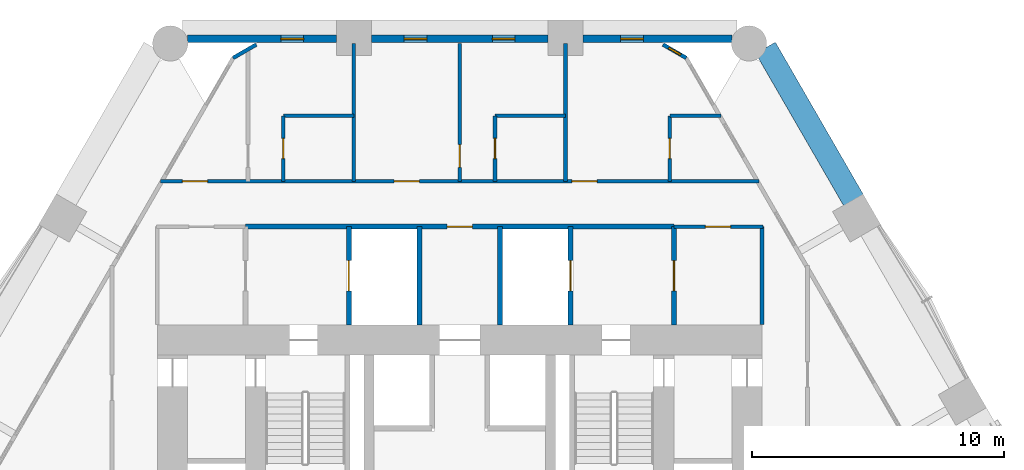
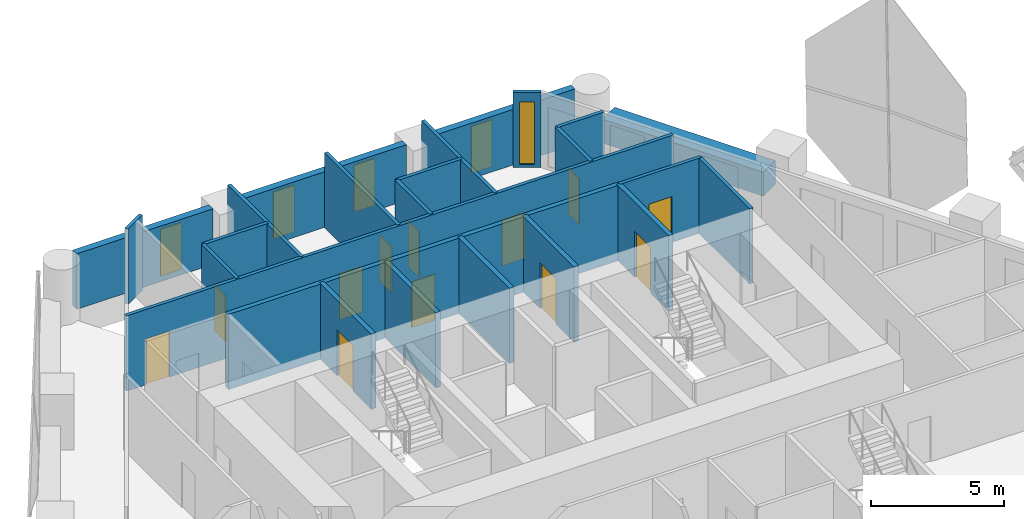
# One storey, part 12 of 16: 24 walls, 12 doors, 5 windows, 17 openings.
"""IFC4 building model written with IfcOpenShell, lengths in metres."""

import ifcopenshell
import ifcopenshell.guid

model = None  # the IFC model being written
_history = None  # IfcOwnerHistory: only IFC2X3 demands one
_inside = {}  # id of a spatial element -> (the spatial element, [elements in it])
_under = {}  # id of a project, library or spatial element -> (it, [spatial elements below it])
_declared = {}  # id of a project -> (the project, [libraries it declares])
_typed = {}  # id of a type object -> (the type object, [elements of that type])
_made_of = {}  # id of a material, layer set ... -> (it, [elements and type objects made of it])


def new_model(schema):
    """Start an empty IFC model of exactly this schema.

    Asked for "IFC4X3", IfcOpenShell would pick the latest addendum, in which some entities
    have other attributes; the version numbers below select the first issue.
    IFC2X3 requires an IfcOwnerHistory on every rooted entity: one is made here for all.
    """
    global model, _history
    if schema == "IFC4X3":
        model = ifcopenshell.file(schema_version=(4, 3, 0, 0))
    else:
        model = ifcopenshell.file(schema=schema)
    _inside.clear()
    _under.clear()
    _declared.clear()
    _typed.clear()
    _made_of.clear()
    _history = None
    if model.schema == "IFC2X3":
        org = make("IfcOrganization", Name="unknown")
        user = make(
            "IfcPersonAndOrganization",
            ThePerson=make("IfcPerson", FamilyName="unknown"),
            TheOrganization=org,
        )
        app = make(
            "IfcApplication",
            ApplicationDeveloper=org,
            Version="unknown",
            ApplicationFullName="unknown",
            ApplicationIdentifier="unknown",
        )
        _history = make(
            "IfcOwnerHistory",
            OwningUser=user,
            OwningApplication=app,
            ChangeAction="ADDED",
            CreationDate=0,
        )
    return model


def make(cls, **values):
    """One entity of the class cls with the attributes given. An attribute that is None is left unset."""
    return model.create_entity(
        cls, **{name: value for name, value in values.items() if value is not None}
    )


def rooted(cls, **values):
    """An entity with a GlobalId (a new one), such as an element, a storey or a relation."""
    return make(cls, GlobalId=ifcopenshell.guid.new(), OwnerHistory=_history, **values)


def si_unit(unit_type, name, prefix=None):
    """IfcSIUnit, for example si_unit("LENGTHUNIT", "METRE", prefix="MILLI")."""
    return make("IfcSIUnit", UnitType=unit_type, Prefix=prefix, Name=name)


def assignment(units):
    """IfcUnitAssignment: the units of a project."""
    return None if units is None else make("IfcUnitAssignment", Units=units)


def point(xyz):
    """IfcCartesianPoint."""
    return None if xyz is None else make("IfcCartesianPoint", Coordinates=xyz)


def direction(xyz):
    """IfcDirection."""
    return None if xyz is None else make("IfcDirection", DirectionRatios=xyz)


def frame(location, z_axis=None, x_axis=None):
    """IfcAxis2Placement3D, a coordinate frame: its origin and axes. An axis left out is left unset."""
    return make(
        "IfcAxis2Placement3D",
        Location=point(location),
        Axis=direction(z_axis),
        RefDirection=direction(x_axis),
    )


def frame_2d(location, x_axis=None):
    """IfcAxis2Placement2D, a coordinate frame in the plane: its origin and x axis."""
    return make(
        "IfcAxis2Placement2D", Location=point(location), RefDirection=direction(x_axis)
    )


def origin():
    """The frame at (0, 0, 0) with its axes left unset."""
    return frame((0.0, 0.0, 0.0))


def place(relative_to, where):
    """IfcLocalPlacement: puts the frame where relative to a parent placement (None: the world)."""
    return make(
        "IfcLocalPlacement", PlacementRelTo=relative_to, RelativePlacement=where
    )


def context(
    kind, dimensions, precision=None, world=None, true_north=None, identifier=None
):
    """IfcGeometricRepresentationContext, for example the 3D "Model" context."""
    return make(
        "IfcGeometricRepresentationContext",
        ContextIdentifier=identifier,
        ContextType=kind,
        CoordinateSpaceDimension=dimensions,
        Precision=precision,
        WorldCoordinateSystem=world,
        TrueNorth=true_north,
    )


def subcontext(parent, identifier, kind, view, scale=None):
    """IfcGeometricRepresentationSubContext, for example "Body" below "Model"."""
    return make(
        "IfcGeometricRepresentationSubContext",
        ContextIdentifier=identifier,
        ContextType=kind,
        ParentContext=parent,
        TargetScale=scale,
        TargetView=view,
    )


def project(units=None, contexts=None):
    """IfcProject with its units and contexts."""
    return rooted(
        "IfcProject",
        Name="project",
        RepresentationContexts=contexts,
        UnitsInContext=assignment(units),
    )


def spatial(cls, under=None, at=None, **own):
    """A site, building, storey or space (cls), placed at a placement, below another one or the project."""
    s = rooted(cls, ObjectPlacement=at, **own)
    if under is not None:
        _under.setdefault(under.id(), (under, []))[1].append(s)
    return s


def profile(cls, at=None, kind="AREA", **sizes):
    """A parametric profile (cls). Its sizes go by their IFC names, for example OverallWidth=200.0."""
    return make(cls, ProfileType=kind, Position=at, **sizes)


def rectangle(**sizes):
    """IfcRectangleProfileDef."""
    return profile("IfcRectangleProfileDef", **sizes)


def extrude(swept, where, along, depth):
    """IfcExtrudedAreaSolid: the profile swept, set in the frame where, extruded along a direction by depth."""
    return make(
        "IfcExtrudedAreaSolid",
        SweptArea=swept,
        Position=where,
        ExtrudedDirection=direction(along),
        Depth=depth,
    )


def shape(context_of_items, identifier, shape_type, items):
    """IfcShapeRepresentation: the items that make up one representation, for example the "Body"."""
    return make(
        "IfcShapeRepresentation",
        ContextOfItems=context_of_items,
        RepresentationIdentifier=identifier,
        RepresentationType=shape_type,
        Items=items,
    )


def material(Name=None, Category=None):
    """IfcMaterial."""
    return make("IfcMaterial", Name=Name, Category=Category)


def layer(
    of_material, thickness, ventilated=None, Name=None, Category=None, Priority=None
):
    """IfcMaterialLayer: one layer of a wall or slab, of a material (None: an air gap)."""
    return make(
        "IfcMaterialLayer",
        Material=of_material,
        LayerThickness=thickness,
        IsVentilated=ventilated,
        Name=Name,
        Category=Category,
        Priority=Priority,
    )


def layer_set(layers, Name=None):
    """IfcMaterialLayerSet."""
    return make("IfcMaterialLayerSet", MaterialLayers=layers, LayerSetName=Name)


def made_of(thing, what):
    """Note that an element or type object is made of a material, layer set ...; save() writes the relation."""
    if what is not None:
        _made_of.setdefault(what.id(), (what, []))[1].append(thing)
    return thing


def type_object(cls, material=None, **own):
    """A type object (cls), such as IfcWallType, which elements share."""
    return made_of(rooted(cls, **own), material)


def element(
    cls,
    number,
    at=None,
    inside=None,
    cuts=None,
    type_object=None,
    material=None,
    context=None,
    identifier="Body",
    shape_type=None,
    held_by="IfcProductDefinitionShape",
    body=None,
    shapes=None,
    **own,
):
    """One element of the class cls, such as IfcWall. Its Tag is "e" and its number.

    at: its placement. inside: the storey or other place that contains it. cuts: it is an
    opening in that element (IfcRelVoidsElement). A single representation is given by context,
    identifier, shape_type and body (its items); several are given by shapes. held_by: the class
    of the entity that holds the representations. save() writes the other relations.
    """
    e = rooted(cls, Tag="e%d" % number, ObjectPlacement=at, **own)
    if body is not None:
        shapes = [shape(context, identifier, shape_type, body)]
    if shapes is not None:
        e.Representation = make(held_by, Representations=shapes)
    if inside is not None:
        _inside.setdefault(inside.id(), (inside, []))[1].append(e)
    if cuts is not None:
        rooted(
            "IfcRelVoidsElement", RelatingBuildingElement=cuts, RelatedOpeningElement=e
        )
    if type_object is not None:
        _typed.setdefault(type_object.id(), (type_object, []))[1].append(e)
    return made_of(e, material)


def fill(opening, filler):
    """IfcRelFillsElement: the door or window that sits in an opening."""
    return rooted(
        "IfcRelFillsElement",
        RelatingOpeningElement=opening,
        RelatedBuildingElement=filler,
    )


def aggregate(whole, parts):
    """IfcRelAggregates: a whole, such as a stair, and the parts it consists of."""
    return rooted("IfcRelAggregates", RelatingObject=whole, RelatedObjects=parts)


def save(model, path):
    """Write the relations noted so far, then the file.

    IfcRelAggregates (storeys below a building ...), IfcRelContainedInSpatialStructure (elements
    in a storey), IfcRelDefinesByType, IfcRelAssociatesMaterial and IfcRelDeclares: one each for
    every whole, place, type object, material and project.
    """
    for whole, parts in _under.values():
        aggregate(whole, parts)
    for where, things in _inside.values():
        rooted(
            "IfcRelContainedInSpatialStructure",
            RelatedElements=things,
            RelatingStructure=where,
        )
    for kind, things in _typed.values():
        rooted("IfcRelDefinesByType", RelatedObjects=things, RelatingType=kind)
    for what, things in _made_of.values():
        rooted("IfcRelAssociatesMaterial", RelatedObjects=things, RelatingMaterial=what)
    for by, libraries in _declared.values():
        rooted("IfcRelDeclares", RelatingContext=by, RelatedDefinitions=libraries)
    model.write(path)


model = new_model("IFC4")

# Units and contexts
model_context = context("Model", 3, precision=1e-05, world=origin(), true_north=direction((0.0, 1.0)))
body_context = subcontext(model_context, "Body", "Model", "MODEL_VIEW")
ifc_project = project(units=[si_unit("LENGTHUNIT", "METRE"), si_unit("AREAUNIT", "SQUARE_METRE"), si_unit("VOLUMEUNIT", "CUBIC_METRE"), si_unit("PLANEANGLEUNIT", "RADIAN"), si_unit("MASSUNIT", "GRAM", prefix="KILO")], contexts=[model_context])

# Site, building, storey
site_placement = place(None, origin())
site = spatial("IfcSite", under=ifc_project, at=site_placement, CompositionType="ELEMENT")
building_placement = place(site_placement, origin())
building = spatial("IfcBuilding", under=site, at=building_placement, Name="Ostrander Bayou Hotel Tower", CompositionType="ELEMENT")
storey_placement = place(building_placement, frame((0.0, 0.0, 58.0)))
storey = spatial("IfcBuildingStorey", under=building, at=storey_placement, Name="L14", CompositionType="ELEMENT", Elevation=58.0)

# Wall
ifc_material_1 = material(Name="Aluminium framed insulated wall", Category="aluminium")
ifc_layer_1 = layer(ifc_material_1, 0.14990234375)
ifc_layer_set_1 = layer_set([ifc_layer_1], Name="GW1 glass-line wall 150 mm")
wall_type_1 = type_object("IfcWallType", Name="GW1 glass-line wall 150 mm", PredefinedType="SOLIDWALL", material=ifc_layer_set_1)
wall_1_placement = place(storey_placement, frame((-8.0703125, 20.824951171875, 0.0), z_axis=(0.0, 0.0, 1.0), x_axis=(-0.866048165231, -0.499960573946, 0.0)))
element("IfcWall", 1, at=wall_1_placement, inside=storey, type_object=wall_type_1, Name="GW1 L14 corner 1", PredefinedType="SOLIDWALL", context=body_context, shape_type="SweptSolid", body=[
    extrude(rectangle(XDim=1.06494140625, YDim=0.14990234375, at=frame_2d((0.532470703125, 0.0))), origin(), (0.0, 0.0, 1.0), 3.449951171875),
])

# Wall, opening, window
wall_2_placement = place(storey_placement, frame((8.99267578125, 20.29248046875, 0.0), z_axis=(0.0, 0.0, 1.0), x_axis=(-0.866048165231, 0.499960573946, 0.0)))
wall_2 = element("IfcWall", 2, at=wall_2_placement, inside=storey, type_object=wall_type_1, Name="GW1 L14 corner 6", PredefinedType="SOLIDWALL", context=body_context, shape_type="SweptSolid", body=[
    extrude(rectangle(XDim=1.06494140625, YDim=0.14990234375, at=frame_2d((0.532470703125, 0.0))), origin(), (0.0, 0.0, 1.0), 3.449951171875),
])
opening_1_placement = place(wall_2_placement, frame((0.257568359375, 0.0, 0.14990234375)))
opening_1 = element("IfcOpeningElement", 3, at=opening_1_placement, cuts=wall_2, Name="Opening W19", PredefinedType="OPENING", context=body_context, shape_type="SweptSolid", body=[
    extrude(rectangle(XDim=0.550048828125, YDim=2.85009765625, at=frame_2d((0.27490234375, 1.425048828125))), frame((0.0, 0.074951171875, 0.0), z_axis=(0.0, -1.0, 0.0), x_axis=(1.0, 0.0, 0.0)), (0.0, 0.0, 1.0), 0.14990234375),
])
ifc_material_2 = material(Name="Aluminium and clear glass", Category="aluminium")
window_type_1 = type_object("IfcWindowType", Name="W19 corner window 550 mm", PartitioningType="SINGLE_PANEL", PredefinedType="WINDOW", material=ifc_material_2)
window_1_placement = place(opening_1_placement, origin())
window_1 = element("IfcWindow", 4, at=window_1_placement, inside=storey, type_object=window_type_1, Name="W19 L14 corner 6", OverallHeight=2.85009765625, OverallWidth=0.550048828125, PartitioningType="SINGLE_PANEL", PredefinedType="WINDOW", context=body_context, shape_type="SweptSolid", body=[
    extrude(rectangle(XDim=0.550048828125, YDim=2.85009765625, at=frame_2d((0.27490234375, 1.425048828125))), frame((0.0, 0.030029296875, 0.0), z_axis=(0.0, -1.0, 0.0), x_axis=(1.0, 0.0, 0.0)), (0.0, 0.0, 1.0), 0.06005859375),
])
fill(opening_1, window_1)

ifc_material_3 = material(Name="Reconstituted stone on masonry backing", Category="masonry")
ifc_layer_2 = layer(ifc_material_3, 0.300048828125)
ifc_layer_set_2 = layer_set([ifc_layer_2], Name="NW1 north stone wall 300 mm")
wall_type_2 = type_object("IfcWallType", Name="NW1 north stone wall 300 mm", PredefinedType="SOLIDWALL", material=ifc_layer_set_2)
wall_3_placement = place(storey_placement, frame((10.809814453125, 21.050048828125, 0.0), z_axis=(0.0, 0.0, 1.0), x_axis=(-1.0, 0.0, 0.0)))
wall_3 = element("IfcWall", 5, at=wall_3_placement, inside=storey, type_object=wall_type_2, Name="NW1 L14 N-1", PredefinedType="SOLIDWALL", context=body_context, shape_type="SweptSolid", body=[
    extrude(rectangle(XDim=5.914306640625, YDim=0.300048828125, at=frame_2d((2.95703125, 0.0))), origin(), (0.0, 0.0, 1.0), 2.550048828125),
])
opening_2_placement = place(wall_3_placement, frame((3.521728515625, 0.0, 0.14990234375)))
opening_2 = element("IfcOpeningElement", 6, at=opening_2_placement, cuts=wall_3, Name="Opening W15", PredefinedType="OPENING", context=body_context, shape_type="SweptSolid", body=[
    extrude(rectangle(XDim=0.89990234375, YDim=2.14990234375, at=frame_2d((0.449951171875, 1.074951171875))), frame((0.0, 0.14990234375, 0.0), z_axis=(0.0, -1.0, 0.0), x_axis=(1.0, 0.0, 0.0)), (0.0, 0.0, 1.0), 0.300048828125),
])
ifc_material_4 = material(Name="Aluminium and clear glass", Category="aluminium")
window_type_2 = type_object("IfcWindowType", Name="W15 window 900 mm, zone 1", PartitioningType="SINGLE_PANEL", PredefinedType="WINDOW", material=ifc_material_4)
window_2_placement = place(opening_2_placement, origin())
window_2 = element("IfcWindow", 7, at=window_2_placement, inside=storey, type_object=window_type_2, Name="W15 L14 north N-1", OverallHeight=2.14990234375, OverallWidth=0.89990234375, PartitioningType="SINGLE_PANEL", PredefinedType="WINDOW", context=body_context, shape_type="SweptSolid", body=[
    extrude(rectangle(XDim=0.89990234375, YDim=2.14990234375, at=frame_2d((0.449951171875, 1.074951171875))), frame((0.0, 0.030029296875, 0.0), z_axis=(0.0, -1.0, 0.0), x_axis=(1.0, 0.0, 0.0)), (0.0, 0.0, 1.0), 0.06005859375),
])
fill(opening_2, window_2)

# Wall, openings, windows
wall_4_placement = place(storey_placement, frame((3.495361328125, 21.050048828125, 0.0), z_axis=(0.0, 0.0, 1.0), x_axis=(-1.0, 0.0, 0.0)))
wall_4 = element("IfcWall", 8, at=wall_4_placement, inside=storey, type_object=wall_type_2, Name="NW1 L14 N-2", PredefinedType="SOLIDWALL", context=body_context, shape_type="SweptSolid", body=[
    extrude(rectangle(XDim=6.99072265625, YDim=0.300048828125, at=frame_2d((3.495361328125, 0.0))), origin(), (0.0, 0.0, 1.0), 2.550048828125),
])
opening_3_placement = place(wall_4_placement, frame((1.300048828125, 0.0, 0.14990234375)))
opening_3 = element("IfcOpeningElement", 9, at=opening_3_placement, cuts=wall_4, Name="Opening W15", PredefinedType="OPENING", context=body_context, shape_type="SweptSolid", body=[
    extrude(rectangle(XDim=0.89990234375, YDim=2.14990234375, at=frame_2d((0.449951171875, 1.074951171875))), frame((0.0, 0.14990234375, 0.0), z_axis=(0.0, -1.0, 0.0), x_axis=(1.0, 0.0, 0.0)), (0.0, 0.0, 1.0), 0.300048828125),
])
opening_4_placement = place(wall_4_placement, frame((4.79541015625, 0.0, 0.14990234375)))
opening_4 = element("IfcOpeningElement", 10, at=opening_4_placement, cuts=wall_4, Name="Opening W15", PredefinedType="OPENING", context=body_context, shape_type="SweptSolid", body=[
    extrude(rectangle(XDim=0.89990234375, YDim=2.14990234375, at=frame_2d((0.449951171875, 1.074951171875))), frame((0.0, 0.14990234375, 0.0), z_axis=(0.0, -1.0, 0.0), x_axis=(1.0, 0.0, 0.0)), (0.0, 0.0, 1.0), 0.300048828125),
])
window_3_placement = place(opening_3_placement, origin())
window_3 = element("IfcWindow", 11, at=window_3_placement, inside=storey, type_object=window_type_2, Name="W15 L14 north N-2", OverallHeight=2.14990234375, OverallWidth=0.89990234375, PartitioningType="SINGLE_PANEL", PredefinedType="WINDOW", context=body_context, shape_type="SweptSolid", body=[
    extrude(rectangle(XDim=0.89990234375, YDim=2.14990234375, at=frame_2d((0.449951171875, 1.074951171875))), frame((0.0, 0.030029296875, 0.0), z_axis=(0.0, -1.0, 0.0), x_axis=(1.0, 0.0, 0.0)), (0.0, 0.0, 1.0), 0.06005859375),
])
fill(opening_3, window_3)
window_4_placement = place(opening_4_placement, origin())
window_4 = element("IfcWindow", 12, at=window_4_placement, inside=storey, type_object=window_type_2, Name="W15 L14 north N-2-2", OverallHeight=2.14990234375, OverallWidth=0.89990234375, PartitioningType="SINGLE_PANEL", PredefinedType="WINDOW", context=body_context, shape_type="SweptSolid", body=[
    extrude(rectangle(XDim=0.89990234375, YDim=2.14990234375, at=frame_2d((0.449951171875, 1.074951171875))), frame((0.0, 0.030029296875, 0.0), z_axis=(0.0, -1.0, 0.0), x_axis=(1.0, 0.0, 0.0)), (0.0, 0.0, 1.0), 0.06005859375),
])
fill(opening_4, window_4)

# Wall, opening, window
wall_5_placement = place(storey_placement, frame((-4.8955078125, 21.050048828125, 0.0), z_axis=(0.0, 0.0, 1.0), x_axis=(-1.0, 0.0, 0.0)))
wall_5 = element("IfcWall", 13, at=wall_5_placement, inside=storey, type_object=wall_type_2, Name="NW1 L14 N-3", PredefinedType="SOLIDWALL", context=body_context, shape_type="SweptSolid", body=[
    extrude(rectangle(XDim=5.914306640625, YDim=0.300048828125, at=frame_2d((2.95703125, 0.0))), origin(), (0.0, 0.0, 1.0), 2.550048828125),
])
opening_5_placement = place(wall_5_placement, frame((1.300048828125, 0.0, 0.14990234375)))
opening_5 = element("IfcOpeningElement", 14, at=opening_5_placement, cuts=wall_5, Name="Opening W15", PredefinedType="OPENING", context=body_context, shape_type="SweptSolid", body=[
    extrude(rectangle(XDim=0.89990234375, YDim=2.14990234375, at=frame_2d((0.449951171875, 1.074951171875))), frame((0.0, 0.14990234375, 0.0), z_axis=(0.0, -1.0, 0.0), x_axis=(1.0, 0.0, 0.0)), (0.0, 0.0, 1.0), 0.300048828125),
])
window_5_placement = place(opening_5_placement, origin())
window_5 = element("IfcWindow", 15, at=window_5_placement, inside=storey, type_object=window_type_2, Name="W15 L14 north N-3", OverallHeight=2.14990234375, OverallWidth=0.89990234375, PartitioningType="SINGLE_PANEL", PredefinedType="WINDOW", context=body_context, shape_type="SweptSolid", body=[
    extrude(rectangle(XDim=0.89990234375, YDim=2.14990234375, at=frame_2d((0.449951171875, 1.074951171875))), frame((0.0, 0.030029296875, 0.0), z_axis=(0.0, -1.0, 0.0), x_axis=(1.0, 0.0, 0.0)), (0.0, 0.0, 1.0), 0.06005859375),
])
fill(opening_5, window_5)

# Wall
ifc_material_5 = material(Name="Concrete f'c 40 MPa", Category="concrete")
ifc_layer_3 = layer(ifc_material_5, 0.89990234375)
ifc_layer_set_3 = layer_set([ifc_layer_3], Name="PA1 stone-faced parapet 900 mm")
wall_type_3 = type_object("IfcWallType", Name="PA1 stone-faced parapet 900 mm", PredefinedType="PARAPET", material=ifc_layer_set_3)
wall_6_placement = place(storey_placement, frame((15.6318359375, 14.64306640625, 0.0), z_axis=(0.0, 0.0, 1.0), x_axis=(-0.500009789943, 0.866019751484, 0.0)))
element("IfcWall", 16, at=wall_6_placement, inside=storey, type_object=wall_type_3, Name="PA1 L14 NE-3", PredefinedType="PARAPET", context=body_context, shape_type="SweptSolid", body=[
    extrude(rectangle(XDim=6.987060546875, YDim=0.89990234375, at=frame_2d((3.49365234375, 0.0))), origin(), (0.0, 0.0, 1.0), 1.10009765625),
])

# Wall, opening, door
ifc_material_6 = material(Name="Masonry block", Category="masonry")
ifc_layer_4 = layer(ifc_material_6, 0.199951171875)
ifc_layer_set_4 = layer_set([ifc_layer_4], Name="PT5 stair enclosure wall 200 mm masonry, 2 hour")
wall_type_4 = type_object("IfcWallType", Name="PT5 stair enclosure wall 200 mm masonry, 2 hour", PredefinedType="PARTITIONING", material=ifc_layer_set_4)
wall_7_placement = place(storey_placement, frame((-8.5, 13.60009765625, 0.0), z_axis=(0.0, 0.0, 1.0), x_axis=(1.0, 0.0, 0.0)))
wall_7 = element("IfcWall", 17, at=wall_7_placement, inside=storey, type_object=wall_type_4, Name="cs:L14:023", PredefinedType="PARTITIONING", context=body_context, shape_type="SweptSolid", body=[
    extrude(rectangle(XDim=17.0, YDim=0.199951171875, at=frame_2d((8.5, 0.0))), origin(), (0.0, 0.0, 1.0), 3.449951171875),
])
opening_6_placement = place(wall_7_placement, frame((8.0, 0.0, 0.0)))
opening_6 = element("IfcOpeningElement", 18, at=opening_6_placement, cuts=wall_7, Name="Opening T12-013", PredefinedType="OPENING", context=body_context, shape_type="SweptSolid", body=[
    extrude(rectangle(XDim=1.0, YDim=2.10009765625, at=frame_2d((0.5, 1.050048828125))), frame((0.0, 0.10009765625, 0.0), z_axis=(0.0, -1.0, 0.0), x_axis=(1.0, 0.0, 0.0)), (0.0, 0.0, 1.0), 0.199951171875),
])
ifc_material_7 = material(Name="Timber door leaf", Category="wood")
door_type_1 = type_object("IfcDoorType", Name="D9 service door 1000 x 2100 mm, 30 minute", OperationType="SINGLE_SWING_LEFT", PredefinedType="DOOR", material=ifc_material_7)
door_1_placement = place(opening_6_placement, origin())
door_1 = element("IfcDoor", 19, at=door_1_placement, inside=storey, type_object=door_type_1, Name="dr:L14:013", OperationType="SINGLE_SWING_LEFT", OverallHeight=2.10009765625, OverallWidth=1.0, PredefinedType="DOOR", context=body_context, shape_type="SweptSolid", body=[
    extrude(rectangle(XDim=1.0, YDim=2.10009765625, at=frame_2d((0.5, 1.050048828125))), frame((0.0, 0.02490234375, 0.0), z_axis=(0.0, -1.0, 0.0), x_axis=(1.0, 0.0, 0.0)), (0.0, 0.0, 1.0), 0.050048828125),
])
fill(opening_6, door_1)

wall_8_placement = place(storey_placement, frame((8.5, 9.699951171875, 0.0), z_axis=(0.0, 0.0, 1.0), x_axis=(0.0, 1.0, 0.0)))
wall_8 = element("IfcWall", 20, at=wall_8_placement, inside=storey, type_object=wall_type_4, Name="cs:L14:025", PredefinedType="PARTITIONING", context=body_context, shape_type="SweptSolid", body=[
    extrude(rectangle(XDim=3.900146484375, YDim=0.199951171875, at=frame_2d((1.9501953125, 0.0))), origin(), (0.0, 0.0, 1.0), 3.449951171875),
])
opening_7_placement = place(wall_8_placement, frame((1.35009765625, 0.0, 0.0)))
opening_7 = element("IfcOpeningElement", 21, at=opening_7_placement, cuts=wall_8, Name="Opening T12-012", PredefinedType="OPENING", context=body_context, shape_type="SweptSolid", body=[
    extrude(rectangle(XDim=1.199951171875, YDim=2.10009765625, at=frame_2d((0.60009765625, 1.050048828125))), frame((0.0, 0.10009765625, 0.0), z_axis=(0.0, -1.0, 0.0), x_axis=(1.0, 0.0, 0.0)), (0.0, 0.0, 1.0), 0.199951171875),
])
ifc_material_8 = material(Name="Timber door leaf", Category="wood")
door_type_2 = type_object("IfcDoorType", Name="D7 lobby door 1200 x 2100 mm, 1 hour", OperationType="SINGLE_SWING_LEFT", PredefinedType="DOOR", material=ifc_material_8)
door_2_placement = place(opening_7_placement, origin())
door_2 = element("IfcDoor", 22, at=door_2_placement, inside=storey, type_object=door_type_2, Name="dr:L14:012", OperationType="SINGLE_SWING_LEFT", OverallHeight=2.10009765625, OverallWidth=1.199951171875, PredefinedType="DOOR", context=body_context, shape_type="SweptSolid", body=[
    extrude(rectangle(XDim=1.199951171875, YDim=2.10009765625, at=frame_2d((0.60009765625, 1.050048828125))), frame((0.0, 0.02490234375, 0.0), z_axis=(0.0, -1.0, 0.0), x_axis=(1.0, 0.0, 0.0)), (0.0, 0.0, 1.0), 0.050048828125),
])
fill(opening_7, door_2)

wall_9_placement = place(storey_placement, frame((-4.39990234375, 9.699951171875, 0.0), z_axis=(0.0, 0.0, 1.0), x_axis=(0.0, 1.0, 0.0)))
wall_9 = element("IfcWall", 23, at=wall_9_placement, inside=storey, type_object=wall_type_4, Name="cs:L14:026", PredefinedType="PARTITIONING", context=body_context, shape_type="SweptSolid", body=[
    extrude(rectangle(XDim=3.900146484375, YDim=0.199951171875, at=frame_2d((1.9501953125, 0.0))), origin(), (0.0, 0.0, 1.0), 3.449951171875),
])
opening_8_placement = place(wall_9_placement, frame((1.35009765625, 0.0, 0.0)))
opening_8 = element("IfcOpeningElement", 24, at=opening_8_placement, cuts=wall_9, Name="Opening T12-009", PredefinedType="OPENING", context=body_context, shape_type="SweptSolid", body=[
    extrude(rectangle(XDim=1.199951171875, YDim=2.10009765625, at=frame_2d((0.60009765625, 1.050048828125))), frame((0.0, 0.10009765625, 0.0), z_axis=(0.0, -1.0, 0.0), x_axis=(1.0, 0.0, 0.0)), (0.0, 0.0, 1.0), 0.199951171875),
])
ifc_material_9 = material(Name="Stainless steel sliding door", Category="steel")
door_type_3 = type_object("IfcDoorType", Name="LD1 lift landing door 1200 x 2100 mm", OperationType="SINGLE_SWING_LEFT", PredefinedType="DOOR", material=ifc_material_9)
door_3_placement = place(opening_8_placement, origin())
door_3 = element("IfcDoor", 25, at=door_3_placement, inside=storey, type_object=door_type_3, Name="dr:L14:009", OperationType="SLIDING_TO_LEFT", OverallHeight=2.10009765625, OverallWidth=1.199951171875, PredefinedType="DOOR", context=body_context, shape_type="SweptSolid", body=[
    extrude(rectangle(XDim=1.199951171875, YDim=2.10009765625, at=frame_2d((0.60009765625, 1.050048828125))), frame((0.0, 0.02490234375, 0.0), z_axis=(0.0, -1.0, 0.0), x_axis=(1.0, 0.0, 0.0)), (0.0, 0.0, 1.0), 0.050048828125),
])
fill(opening_8, door_3)

wall_10_placement = place(storey_placement, frame((4.39990234375, 9.699951171875, 0.0), z_axis=(0.0, 0.0, 1.0), x_axis=(0.0, 1.0, 0.0)))
wall_10 = element("IfcWall", 26, at=wall_10_placement, inside=storey, type_object=wall_type_4, Name="cs:L14:027", PredefinedType="PARTITIONING", context=body_context, shape_type="SweptSolid", body=[
    extrude(rectangle(XDim=3.900146484375, YDim=0.199951171875, at=frame_2d((1.9501953125, 0.0))), origin(), (0.0, 0.0, 1.0), 3.449951171875),
])
opening_9_placement = place(wall_10_placement, frame((1.35009765625, 0.0, 0.0)))
opening_9 = element("IfcOpeningElement", 27, at=opening_9_placement, cuts=wall_10, Name="Opening T12-011", PredefinedType="OPENING", context=body_context, shape_type="SweptSolid", body=[
    extrude(rectangle(XDim=1.199951171875, YDim=2.10009765625, at=frame_2d((0.60009765625, 1.050048828125))), frame((0.0, 0.10009765625, 0.0), z_axis=(0.0, -1.0, 0.0), x_axis=(1.0, 0.0, 0.0)), (0.0, 0.0, 1.0), 0.199951171875),
])
door_4_placement = place(opening_9_placement, origin())
door_4 = element("IfcDoor", 28, at=door_4_placement, inside=storey, type_object=door_type_3, Name="dr:L14:011", OperationType="SLIDING_TO_LEFT", OverallHeight=2.10009765625, OverallWidth=1.199951171875, PredefinedType="DOOR", context=body_context, shape_type="SweptSolid", body=[
    extrude(rectangle(XDim=1.199951171875, YDim=2.10009765625, at=frame_2d((0.60009765625, 1.050048828125))), frame((0.0, 0.02490234375, 0.0), z_axis=(0.0, -1.0, 0.0), x_axis=(1.0, 0.0, 0.0)), (0.0, 0.0, 1.0), 0.050048828125),
])
fill(opening_9, door_4)

# Walls
ifc_material_10 = material(Name="Masonry block", Category="masonry")
ifc_layer_5 = layer(ifc_material_10, 0.199951171875)
ifc_layer_set_5 = layer_set([ifc_layer_5], Name="PT6 lift shaft wall 200 mm masonry, 2 hour")
wall_type_5 = type_object("IfcWallType", Name="PT6 lift shaft wall 200 mm masonry, 2 hour", PredefinedType="PARTITIONING", material=ifc_layer_set_5)
for number, where, z_axis, x_axis, name in (
    (29, (-1.60009765625, 9.699951171875, 0.0), (0.0, 0.0, 1.0), (0.0, 1.0, 0.0), "cs:L14:028"),
    (30, (1.60009765625, 9.699951171875, 0.0), (0.0, 0.0, 1.0), (0.0, 1.0, 0.0), "cs:L14:029"),
):
    element("IfcWall", number, at=place(storey_placement, frame(where, z_axis=z_axis, x_axis=x_axis)), inside=storey, type_object=wall_type_5, Name=name, PredefinedType="PARTITIONING", context=body_context, shape_type="SweptSolid", body=[
        extrude(rectangle(XDim=3.900146484375, YDim=0.199951171875, at=frame_2d((1.9501953125, 0.0))), origin(), (0.0, 0.0, 1.0), 3.449951171875),
    ])

# Wall, opening, door
ifc_material_11 = material(Name="Gypsum board partition", Category="finish")
ifc_layer_6 = layer(ifc_material_11, 0.14990234375)
ifc_layer_set_6 = layer_set([ifc_layer_6], Name="PT8 service band wall 150 mm, 1 hour")
wall_type_6 = type_object("IfcWallType", Name="PT8 service band wall 150 mm, 1 hour", PredefinedType="PARTITIONING", material=ifc_layer_set_6)
wall_11_placement = place(storey_placement, frame((8.510009765625, 13.60009765625, 0.0), z_axis=(0.0, 0.0, 1.0), x_axis=(1.0, 0.0, 0.0)))
wall_11 = element("IfcWall", 31, at=wall_11_placement, inside=storey, type_object=wall_type_6, Name="gw:L14:013", PredefinedType="PARTITIONING", context=body_context, shape_type="SweptSolid", body=[
    extrude(rectangle(XDim=3.530029296875, YDim=0.14990234375, at=frame_2d((1.76513671875, 0.0))), origin(), (0.0, 0.0, 1.0), 3.449951171875),
])
opening_10_placement = place(wall_11_placement, frame((1.239990234375, 0.0, 0.0)))
opening_10 = element("IfcOpeningElement", 32, at=opening_10_placement, cuts=wall_11, Name="Opening T12-423", PredefinedType="OPENING", context=body_context, shape_type="SweptSolid", body=[
    extrude(rectangle(XDim=1.0, YDim=2.10009765625, at=frame_2d((0.5, 1.050048828125))), frame((0.0, 0.074951171875, 0.0), z_axis=(0.0, -1.0, 0.0), x_axis=(1.0, 0.0, 0.0)), (0.0, 0.0, 1.0), 0.14990234375),
])
door_5_placement = place(opening_10_placement, origin())
door_5 = element("IfcDoor", 33, at=door_5_placement, inside=storey, type_object=door_type_1, Name="dr:L14:423", OperationType="SINGLE_SWING_LEFT", OverallHeight=2.10009765625, OverallWidth=1.0, PredefinedType="DOOR", context=body_context, shape_type="SweptSolid", body=[
    extrude(rectangle(XDim=1.0, YDim=2.10009765625, at=frame_2d((0.5, 1.050048828125))), frame((0.0, 0.02490234375, 0.0), z_axis=(0.0, -1.0, 0.0), x_axis=(1.0, 0.0, 0.0)), (0.0, 0.0, 1.0), 0.050048828125),
])
fill(opening_10, door_5)

# Wall, openings, doors
wall_12_placement = place(storey_placement, frame((-11.868896484375, 15.39990234375, 0.0), z_axis=(0.0, 0.0, 1.0), x_axis=(1.0, 0.0, 0.0)))
wall_12 = element("IfcWall", 34, at=wall_12_placement, inside=storey, type_object=wall_type_6, Name="gw:L14:014", PredefinedType="PARTITIONING", context=body_context, shape_type="SweptSolid", body=[
    extrude(rectangle(XDim=23.73779296875, YDim=0.14990234375, at=frame_2d((11.868896484375, 0.0))), origin(), (0.0, 0.0, 1.0), 3.449951171875),
])
opening_11_placement = place(wall_12_placement, frame((0.868896484375, 0.0, 0.0)))
opening_11 = element("IfcOpeningElement", 35, at=opening_11_placement, cuts=wall_12, Name="Opening T12-414", PredefinedType="OPENING", context=body_context, shape_type="SweptSolid", body=[
    extrude(rectangle(XDim=1.0, YDim=2.10009765625, at=frame_2d((0.5, 1.050048828125))), frame((0.0, 0.074951171875, 0.0), z_axis=(0.0, -1.0, 0.0), x_axis=(1.0, 0.0, 0.0)), (0.0, 0.0, 1.0), 0.14990234375),
])
opening_12_placement = place(wall_12_placement, frame((9.26904296875, 0.0, 0.0)))
opening_12 = element("IfcOpeningElement", 36, at=opening_12_placement, cuts=wall_12, Name="Opening T12-417", PredefinedType="OPENING", context=body_context, shape_type="SweptSolid", body=[
    extrude(rectangle(XDim=1.0, YDim=2.10009765625, at=frame_2d((0.5, 1.050048828125))), frame((0.0, 0.074951171875, 0.0), z_axis=(0.0, -1.0, 0.0), x_axis=(1.0, 0.0, 0.0)), (0.0, 0.0, 1.0), 0.14990234375),
])
opening_13_placement = place(wall_12_placement, frame((16.319091796875, 0.0, 0.0)))
opening_13 = element("IfcOpeningElement", 37, at=opening_13_placement, cuts=wall_12, Name="Opening T12-420", PredefinedType="OPENING", context=body_context, shape_type="SweptSolid", body=[
    extrude(rectangle(XDim=1.0, YDim=2.10009765625, at=frame_2d((0.5, 1.050048828125))), frame((0.0, 0.074951171875, 0.0), z_axis=(0.0, -1.0, 0.0), x_axis=(1.0, 0.0, 0.0)), (0.0, 0.0, 1.0), 0.14990234375),
])
ifc_material_12 = material(Name="Timber door leaf", Category="wood")
door_type_4 = type_object("IfcDoorType", Name="D1 guest room door 1000 x 2100 mm, 30 minute", OperationType="SINGLE_SWING_LEFT", PredefinedType="DOOR", material=ifc_material_12)
door_6_placement = place(opening_11_placement, origin())
door_6 = element("IfcDoor", 38, at=door_6_placement, inside=storey, type_object=door_type_4, Name="dr:L14:414", OperationType="SINGLE_SWING_LEFT", OverallHeight=2.10009765625, OverallWidth=1.0, PredefinedType="DOOR", context=body_context, shape_type="SweptSolid", body=[
    extrude(rectangle(XDim=1.0, YDim=2.10009765625, at=frame_2d((0.5, 1.050048828125))), frame((0.0, 0.02490234375, 0.0), z_axis=(0.0, -1.0, 0.0), x_axis=(1.0, 0.0, 0.0)), (0.0, 0.0, 1.0), 0.050048828125),
])
fill(opening_11, door_6)
door_7_placement = place(opening_12_placement, origin())
door_7 = element("IfcDoor", 39, at=door_7_placement, inside=storey, type_object=door_type_4, Name="dr:L14:417", OperationType="SINGLE_SWING_LEFT", OverallHeight=2.10009765625, OverallWidth=1.0, PredefinedType="DOOR", context=body_context, shape_type="SweptSolid", body=[
    extrude(rectangle(XDim=1.0, YDim=2.10009765625, at=frame_2d((0.5, 1.050048828125))), frame((0.0, 0.02490234375, 0.0), z_axis=(0.0, -1.0, 0.0), x_axis=(1.0, 0.0, 0.0)), (0.0, 0.0, 1.0), 0.050048828125),
])
fill(opening_12, door_7)
door_8_placement = place(opening_13_placement, origin())
door_8 = element("IfcDoor", 40, at=door_8_placement, inside=storey, type_object=door_type_4, Name="dr:L14:420", OperationType="SINGLE_SWING_LEFT", OverallHeight=2.10009765625, OverallWidth=1.0, PredefinedType="DOOR", context=body_context, shape_type="SweptSolid", body=[
    extrude(rectangle(XDim=1.0, YDim=2.10009765625, at=frame_2d((0.5, 1.050048828125))), frame((0.0, 0.02490234375, 0.0), z_axis=(0.0, -1.0, 0.0), x_axis=(1.0, 0.0, 0.0)), (0.0, 0.0, 1.0), 0.050048828125),
])
fill(opening_13, door_8)

# Walls
for number, where, z_axis, x_axis, name in (
    (41, (-7.0, 18.0, 0.0), (0.0, 0.0, 1.0), (1.0, 0.0, 0.0), "gw:L14:015"),
    (42, (1.39990234375, 18.0, 0.0), (0.0, 0.0, 1.0), (1.0, 0.0, 0.0), "gw:L14:016"),
):
    element("IfcWall", number, at=place(storey_placement, frame(where, z_axis=z_axis, x_axis=x_axis)), inside=storey, type_object=wall_type_6, Name=name, PredefinedType="PARTITIONING", context=body_context, shape_type="SweptSolid", body=[
        extrude(rectangle(XDim=2.800048828125, YDim=0.14990234375, at=frame_2d((1.39990234375, 0.0))), origin(), (0.0, 0.0, 1.0), 3.449951171875),
    ])
wall_13_placement = place(storey_placement, frame((8.340087890625, 18.0, 0.0), z_axis=(0.0, 0.0, 1.0), x_axis=(1.0, 0.0, 0.0)))
element("IfcWall", 43, at=wall_13_placement, inside=storey, type_object=wall_type_6, Name="gw:L14:017", PredefinedType="PARTITIONING", context=body_context, shape_type="SweptSolid", body=[
    extrude(rectangle(XDim=2.02783203125, YDim=0.14990234375, at=frame_2d((1.013916015625, 0.0))), origin(), (0.0, 0.0, 1.0), 3.449951171875),
])
wall_14_placement = place(storey_placement, frame((12.0, 9.7099609375, 0.0), z_axis=(0.0, 0.0, 1.0), x_axis=(0.0, 1.0, 0.0)))
element("IfcWall", 44, at=wall_14_placement, inside=storey, type_object=wall_type_6, Name="gw:L14:020", PredefinedType="PARTITIONING", context=body_context, shape_type="SweptSolid", body=[
    extrude(rectangle(XDim=3.89013671875, YDim=0.14990234375, at=frame_2d((1.945068359375, 0.0))), origin(), (0.0, 0.0, 1.0), 3.449951171875),
])

# Wall, opening, door
wall_15_placement = place(storey_placement, frame((8.340087890625, 15.39990234375, 0.0), z_axis=(0.0, 0.0, 1.0), x_axis=(0.0, 1.0, 0.0)))
wall_15 = element("IfcWall", 45, at=wall_15_placement, inside=storey, type_object=wall_type_6, Name="gw:L14:022", PredefinedType="PARTITIONING", context=body_context, shape_type="SweptSolid", body=[
    extrude(rectangle(XDim=2.60009765625, YDim=0.14990234375, at=frame_2d((1.300048828125, 0.0))), origin(), (0.0, 0.0, 1.0), 3.449951171875),
])
opening_14_placement = place(wall_15_placement, frame((0.89990234375, 0.0, 0.0)))
opening_14 = element("IfcOpeningElement", 46, at=opening_14_placement, cuts=wall_15, Name="Opening T12-421", PredefinedType="OPENING", context=body_context, shape_type="SweptSolid", body=[
    extrude(rectangle(XDim=0.800048828125, YDim=2.10009765625, at=frame_2d((0.39990234375, 1.050048828125))), frame((0.0, 0.074951171875, 0.0), z_axis=(0.0, -1.0, 0.0), x_axis=(1.0, 0.0, 0.0)), (0.0, 0.0, 1.0), 0.14990234375),
])
ifc_material_13 = material(Name="Timber door leaf", Category="wood")
door_type_5 = type_object("IfcDoorType", Name="D2 bathroom door 800 x 2100 mm", OperationType="SINGLE_SWING_LEFT", PredefinedType="DOOR", material=ifc_material_13)
door_9_placement = place(opening_14_placement, origin())
door_9 = element("IfcDoor", 47, at=door_9_placement, inside=storey, type_object=door_type_5, Name="dr:L14:421", OperationType="SINGLE_SWING_LEFT", OverallHeight=2.10009765625, OverallWidth=0.800048828125, PredefinedType="DOOR", context=body_context, shape_type="SweptSolid", body=[
    extrude(rectangle(XDim=0.800048828125, YDim=2.10009765625, at=frame_2d((0.39990234375, 1.050048828125))), frame((0.0, 0.02490234375, 0.0), z_axis=(0.0, -1.0, 0.0), x_axis=(1.0, 0.0, 0.0)), (0.0, 0.0, 1.0), 0.050048828125),
])
fill(opening_14, door_9)

# Wall
wall_16_placement = place(storey_placement, frame((4.199951171875, 15.39990234375, 0.0), z_axis=(0.0, 0.0, 1.0), x_axis=(0.0, 1.0, 0.0)))
element("IfcWall", 48, at=wall_16_placement, inside=storey, type_object=wall_type_6, Name="gw:L14:024", PredefinedType="PARTITIONING", context=body_context, shape_type="SweptSolid", body=[
    extrude(rectangle(XDim=5.47021484375, YDim=0.14990234375, at=frame_2d((2.735107421875, 0.0))), origin(), (0.0, 0.0, 1.0), 3.449951171875),
])

# Wall, opening, door
wall_17_placement = place(storey_placement, frame((1.39990234375, 15.39990234375, 0.0), z_axis=(0.0, 0.0, 1.0), x_axis=(0.0, 1.0, 0.0)))
wall_17 = element("IfcWall", 49, at=wall_17_placement, inside=storey, type_object=wall_type_6, Name="gw:L14:026", PredefinedType="PARTITIONING", context=body_context, shape_type="SweptSolid", body=[
    extrude(rectangle(XDim=2.60009765625, YDim=0.14990234375, at=frame_2d((1.300048828125, 0.0))), origin(), (0.0, 0.0, 1.0), 3.449951171875),
])
opening_15_placement = place(wall_17_placement, frame((0.89990234375, 0.0, 0.0)))
opening_15 = element("IfcOpeningElement", 50, at=opening_15_placement, cuts=wall_17, Name="Opening T12-419", PredefinedType="OPENING", context=body_context, shape_type="SweptSolid", body=[
    extrude(rectangle(XDim=0.800048828125, YDim=2.10009765625, at=frame_2d((0.39990234375, 1.050048828125))), frame((0.0, 0.074951171875, 0.0), z_axis=(0.0, -1.0, 0.0), x_axis=(1.0, 0.0, 0.0)), (0.0, 0.0, 1.0), 0.14990234375),
])
door_10_placement = place(opening_15_placement, origin())
door_10 = element("IfcDoor", 51, at=door_10_placement, inside=storey, type_object=door_type_5, Name="dr:L14:419", OperationType="SINGLE_SWING_LEFT", OverallHeight=2.10009765625, OverallWidth=0.800048828125, PredefinedType="DOOR", context=body_context, shape_type="SweptSolid", body=[
    extrude(rectangle(XDim=0.800048828125, YDim=2.10009765625, at=frame_2d((0.39990234375, 1.050048828125))), frame((0.0, 0.02490234375, 0.0), z_axis=(0.0, -1.0, 0.0), x_axis=(1.0, 0.0, 0.0)), (0.0, 0.0, 1.0), 0.050048828125),
])
fill(opening_15, door_10)

wall_18_placement = place(storey_placement, frame((0.0, 15.39990234375, 0.0), z_axis=(0.0, 0.0, 1.0), x_axis=(0.0, 1.0, 0.0)))
wall_18 = element("IfcWall", 52, at=wall_18_placement, inside=storey, type_object=wall_type_6, Name="gw:L14:028", PredefinedType="PARTITIONING", context=body_context, shape_type="SweptSolid", body=[
    extrude(rectangle(XDim=5.47021484375, YDim=0.14990234375, at=frame_2d((2.735107421875, 0.0))), origin(), (0.0, 0.0, 1.0), 3.449951171875),
])
opening_16_placement = place(wall_18_placement, frame((0.550048828125, 0.0, 0.0)))
opening_16 = element("IfcOpeningElement", 53, at=opening_16_placement, cuts=wall_18, Name="Opening T12-418", PredefinedType="OPENING", context=body_context, shape_type="SweptSolid", body=[
    extrude(rectangle(XDim=0.89990234375, YDim=2.10009765625, at=frame_2d((0.449951171875, 1.050048828125))), frame((0.0, 0.074951171875, 0.0), z_axis=(0.0, -1.0, 0.0), x_axis=(1.0, 0.0, 0.0)), (0.0, 0.0, 1.0), 0.14990234375),
])
ifc_material_14 = material(Name="Timber door leaf", Category="wood")
door_type_6 = type_object("IfcDoorType", Name="D8 room door 900 x 2100 mm", OperationType="SINGLE_SWING_LEFT", PredefinedType="DOOR", material=ifc_material_14)
door_11_placement = place(opening_16_placement, origin())
door_11 = element("IfcDoor", 54, at=door_11_placement, inside=storey, type_object=door_type_6, Name="dr:L14:418", OperationType="SINGLE_SWING_LEFT", OverallHeight=2.10009765625, OverallWidth=0.89990234375, PredefinedType="DOOR", context=body_context, shape_type="SweptSolid", body=[
    extrude(rectangle(XDim=0.89990234375, YDim=2.10009765625, at=frame_2d((0.449951171875, 1.050048828125))), frame((0.0, 0.02490234375, 0.0), z_axis=(0.0, -1.0, 0.0), x_axis=(1.0, 0.0, 0.0)), (0.0, 0.0, 1.0), 0.050048828125),
])
fill(opening_16, door_11)

# Wall
wall_19_placement = place(storey_placement, frame((-4.199951171875, 15.39990234375, 0.0), z_axis=(0.0, 0.0, 1.0), x_axis=(0.0, 1.0, 0.0)))
element("IfcWall", 55, at=wall_19_placement, inside=storey, type_object=wall_type_6, Name="gw:L14:029", PredefinedType="PARTITIONING", context=body_context, shape_type="SweptSolid", body=[
    extrude(rectangle(XDim=5.47021484375, YDim=0.14990234375, at=frame_2d((2.735107421875, 0.0))), origin(), (0.0, 0.0, 1.0), 3.449951171875),
])

# Wall, opening, door
wall_20_placement = place(storey_placement, frame((-7.0, 15.39990234375, 0.0), z_axis=(0.0, 0.0, 1.0), x_axis=(0.0, 1.0, 0.0)))
wall_20 = element("IfcWall", 56, at=wall_20_placement, inside=storey, type_object=wall_type_6, Name="gw:L14:030", PredefinedType="PARTITIONING", context=body_context, shape_type="SweptSolid", body=[
    extrude(rectangle(XDim=2.60009765625, YDim=0.14990234375, at=frame_2d((1.300048828125, 0.0))), origin(), (0.0, 0.0, 1.0), 3.449951171875),
])
opening_17_placement = place(wall_20_placement, frame((0.89990234375, 0.0, 0.0)))
opening_17 = element("IfcOpeningElement", 57, at=opening_17_placement, cuts=wall_20, Name="Opening T12-416", PredefinedType="OPENING", context=body_context, shape_type="SweptSolid", body=[
    extrude(rectangle(XDim=0.800048828125, YDim=2.10009765625, at=frame_2d((0.39990234375, 1.050048828125))), frame((0.0, 0.074951171875, 0.0), z_axis=(0.0, -1.0, 0.0), x_axis=(1.0, 0.0, 0.0)), (0.0, 0.0, 1.0), 0.14990234375),
])
door_12_placement = place(opening_17_placement, origin())
door_12 = element("IfcDoor", 58, at=door_12_placement, inside=storey, type_object=door_type_5, Name="dr:L14:416", OperationType="SINGLE_SWING_LEFT", OverallHeight=2.10009765625, OverallWidth=0.800048828125, PredefinedType="DOOR", context=body_context, shape_type="SweptSolid", body=[
    extrude(rectangle(XDim=0.800048828125, YDim=2.10009765625, at=frame_2d((0.39990234375, 1.050048828125))), frame((0.0, 0.02490234375, 0.0), z_axis=(0.0, -1.0, 0.0), x_axis=(1.0, 0.0, 0.0)), (0.0, 0.0, 1.0), 0.050048828125),
])
fill(opening_17, door_12)

save(model, "model.ifc")
